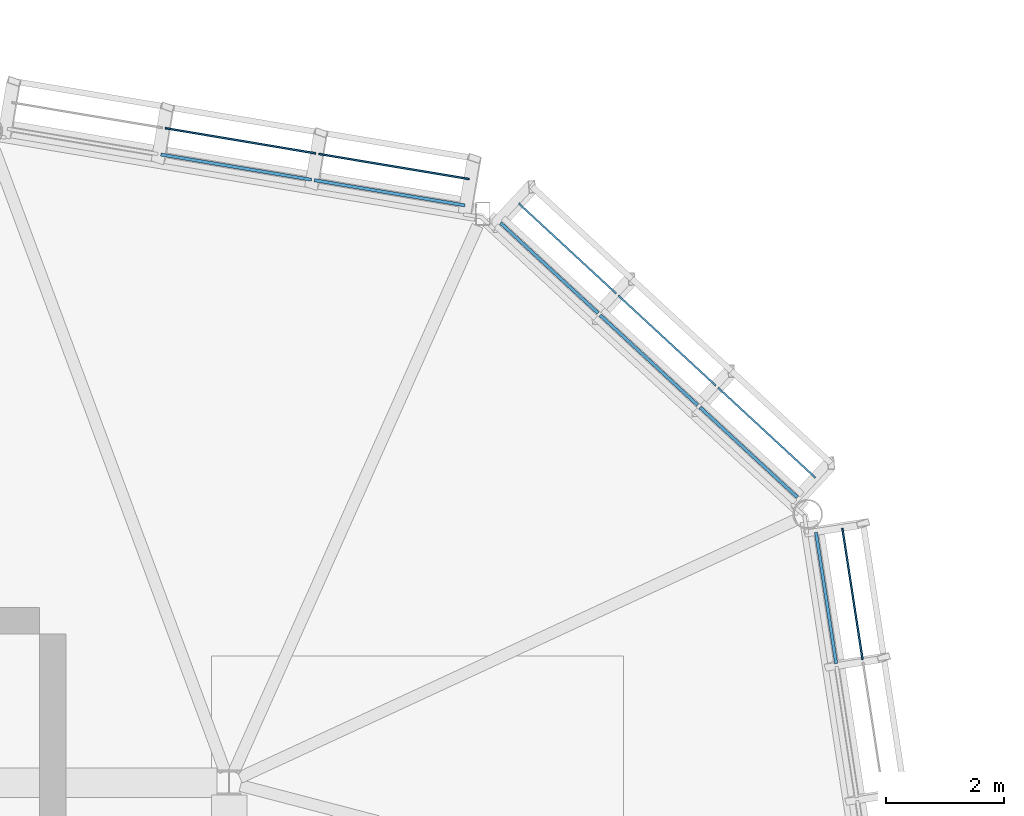
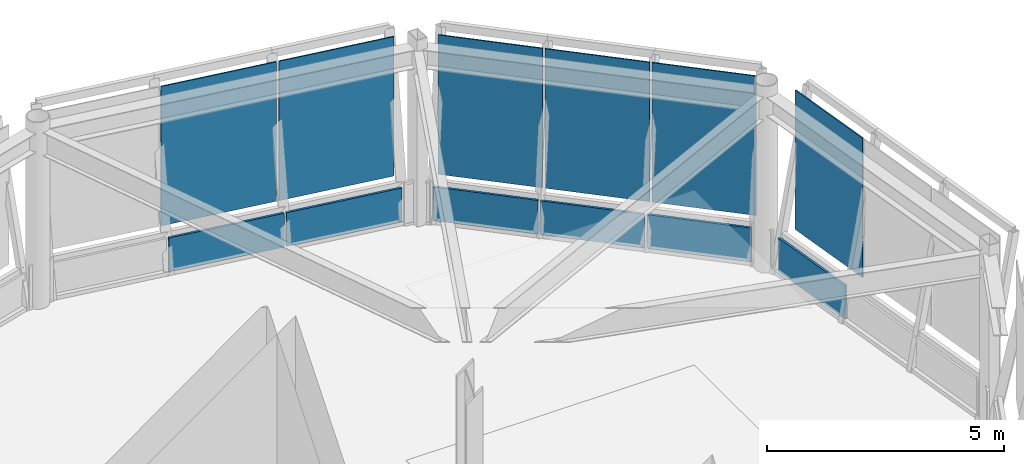
# One storey, part 65 of 94: 12 plates, 3 elements without a shape of their own.
"""IFC4 building model written with IfcOpenShell, lengths in metres."""

from ifc_helpers import new_model, si_unit, direction, frame, origin, origin_2d, place, context, subcontext, project, spatial, rectangle, extrude, material, layer, layer_set, type_object, element, aggregate, save


model = new_model("IFC4")

# Units and contexts
model_context = context("Model", 3, precision=1e-05, world=origin(), true_north=direction((0.0, 1.0)))
body_context = subcontext(model_context, "Body", "Model", "MODEL_VIEW")
ifc_project = project(units=[si_unit("LENGTHUNIT", "METRE"), si_unit("AREAUNIT", "SQUARE_METRE"), si_unit("VOLUMEUNIT", "CUBIC_METRE"), si_unit("PLANEANGLEUNIT", "RADIAN"), si_unit("MASSUNIT", "GRAM", prefix="KILO")], contexts=[model_context])

# Site, building, storey
site_placement = place(None, origin())
site = spatial("IfcSite", under=ifc_project, at=site_placement, CompositionType="ELEMENT")
building_placement = place(site_placement, origin())
building = spatial("IfcBuilding", under=site, at=building_placement, Name="Linyun Crest Stadium", CompositionType="ELEMENT")
storey_placement = place(building_placement, frame((0.0, 0.0, 16.199951171875)))
storey = spatial("IfcBuildingStorey", under=building, at=storey_placement, Name="L04", CompositionType="ELEMENT", Elevation=16.199951171875)

# Curtain wall, plates
ifc_material_1 = material(Name="Verdigris steel and low-E curtain wall assembly", Category="steel")
curtain_wall_type = type_object("IfcCurtainWallType", Name="MCW04", PredefinedType="NOTDEFINED", material=ifc_material_1)
curtain_wall_1_placement = place(storey_placement, origin())
curtain_wall_1 = element("IfcCurtainWall", 1, at=curtain_wall_1_placement, inside=storey, type_object=curtain_wall_type, Name="CWR-037", PredefinedType="NOTDEFINED")
ifc_material_2 = material(Name="Acoustic laminated low-E broadcast glass", Category="glass")
ifc_layer_1 = layer(ifc_material_2, 0.030029296875)
ifc_layer_set_1 = layer_set([ifc_layer_1], Name="Acoustic laminated low-E broadcast glass")
plate_type_1 = type_object("IfcPlateType", Name="GP02", PredefinedType="CURTAIN_PANEL", material=ifc_layer_set_1)
plate_1_placement = place(storey_placement, frame((89.137939453125, 94.697021484375, 0.888427734375), z_axis=(0.0, 0.0, 1.0), x_axis=(-0.734298814372, 0.678826377811, 0.0)))
plate_1 = element("IfcPlate", 2, at=plate_1_placement, type_object=plate_type_1, Name="CWR-037 panel 1.2", PredefinedType="CURTAIN_PANEL", context=body_context, shape_type="SweptSolid", body=[
    extrude(rectangle(XDim=2.2568359375, YDim=0.030029296875, at=origin_2d()), origin(), (0.0, 0.0, 1.0), 3.5830078125),
])
plate_2_placement = place(storey_placement, frame((87.444091796875, 96.262939453125, 0.888427734375), z_axis=(0.0, 0.0, 1.0), x_axis=(-0.734298814372, 0.678826377811, 0.0)))
plate_2 = element("IfcPlate", 3, at=plate_2_placement, type_object=plate_type_1, Name="CWR-037 panel 2.2", PredefinedType="CURTAIN_PANEL", context=body_context, shape_type="SweptSolid", body=[
    extrude(rectangle(XDim=2.2568359375, YDim=0.030029296875, at=origin_2d()), origin(), (0.0, 0.0, 1.0), 3.5830078125),
])
plate_3_placement = place(storey_placement, frame((85.75, 97.8291015625, 0.888427734375), z_axis=(0.0, 0.0, 1.0), x_axis=(-0.734298814372, 0.678826377811, 0.0)))
plate_3 = element("IfcPlate", 4, at=plate_3_placement, type_object=plate_type_1, Name="CWR-037 panel 3.2", PredefinedType="CURTAIN_PANEL", context=body_context, shape_type="SweptSolid", body=[
    extrude(rectangle(XDim=2.2568359375, YDim=0.030029296875, at=origin_2d()), origin(), (0.0, 0.0, 1.0), 3.5830078125),
])

curtain_wall_2_placement = place(storey_placement, origin())
curtain_wall_2 = element("IfcCurtainWall", 5, at=curtain_wall_2_placement, inside=storey, type_object=curtain_wall_type, Name="CWR-038", PredefinedType="NOTDEFINED")
plate_4_placement = place(storey_placement, frame((82.802978515625, 99.221923828125, 0.888427734375), z_axis=(0.0, 0.0, 1.0), x_axis=(-0.986282720763, 0.165064819767, 0.0)))
plate_4 = element("IfcPlate", 6, at=plate_4_placement, type_object=plate_type_1, Name="CWR-038 panel 1.2", PredefinedType="CURTAIN_PANEL", context=body_context, shape_type="SweptSolid", body=[
    extrude(rectangle(XDim=2.59521484375, YDim=0.030029296875, at=origin_2d()), origin(), (0.0, 0.0, 1.0), 3.5830078125),
])
plate_5_placement = place(storey_placement, frame((80.194091796875, 99.658935546875, 0.888427734375), z_axis=(0.0, 0.0, 1.0), x_axis=(-0.986282720763, 0.165064819767, 0.0)))
plate_5 = element("IfcPlate", 7, at=plate_5_placement, type_object=plate_type_1, Name="CWR-038 panel 2.2", PredefinedType="CURTAIN_PANEL", context=body_context, shape_type="SweptSolid", body=[
    extrude(rectangle(XDim=2.59521484375, YDim=0.030029296875, at=origin_2d()), origin(), (0.0, 0.0, 1.0), 3.5830078125),
])

# Curtain wall, plate
curtain_wall_3_placement = place(storey_placement, origin())
curtain_wall_3 = element("IfcCurtainWall", 8, at=curtain_wall_3_placement, inside=storey, type_object=curtain_wall_type, Name="CWR-048", PredefinedType="NOTDEFINED")
plate_6_placement = place(storey_placement, frame((90.594970703125, 91.9560546875, 0.888427734375), z_axis=(0.0, 0.0, 1.0), x_axis=(-0.152054385169, 0.988372128275, 0.0)))
plate_6 = element("IfcPlate", 9, at=plate_6_placement, type_object=plate_type_1, Name="CWR-048 panel 3.2", PredefinedType="CURTAIN_PANEL", context=body_context, shape_type="SweptSolid", body=[
    extrude(rectangle(XDim=2.256103515625, YDim=0.030029296875, at=origin_2d()), origin(), (0.0, 0.0, 1.0), 3.5830078125),
])

# Plate
ifc_material_3 = material(Name="Verdigris enamelled metal insulated spandrel")
ifc_layer_2 = layer(ifc_material_3, 0.053955078125)
ifc_layer_set_2 = layer_set([ifc_layer_2], Name="Verdigris enamelled metal insulated spandrel")
plate_type_2 = type_object("IfcPlateType", Name="SP03", PredefinedType="SHEET", material=ifc_layer_set_2)
plate_7_placement = place(storey_placement, frame((88.830078125, 94.364013671875, 0.015625), z_axis=(0.0, 0.0, 1.0), x_axis=(-0.734298814372, 0.678826377811, 0.0)))
plate_7 = element("IfcPlate", 10, at=plate_7_placement, type_object=plate_type_2, Name="CWR-037 panel 1.1", PredefinedType="SHEET", context=body_context, shape_type="SweptSolid", body=[
    extrude(rectangle(XDim=2.2568359375, YDim=0.053955078125, at=origin_2d()), origin(), (0.0, 0.0, 1.0), 0.868408203125),
])

plate_8_placement = place(storey_placement, frame((87.135986328125, 95.929931640625, 0.015625), z_axis=(0.0, 0.0, 1.0), x_axis=(-0.734298814372, 0.678826377811, 0.0)))
plate_8 = element("IfcPlate", 11, at=plate_8_placement, type_object=plate_type_2, Name="CWR-037 panel 2.1", PredefinedType="SHEET", context=body_context, shape_type="SweptSolid", body=[
    extrude(rectangle(XDim=2.2568359375, YDim=0.053955078125, at=origin_2d()), origin(), (0.0, 0.0, 1.0), 0.868408203125),
])

plate_9_placement = place(storey_placement, frame((85.44189453125, 97.49609375, 0.015625), z_axis=(0.0, 0.0, 1.0), x_axis=(-0.734298814372, 0.678826377811, 0.0)))
plate_9 = element("IfcPlate", 12, at=plate_9_placement, type_object=plate_type_2, Name="CWR-037 panel 3.1", PredefinedType="SHEET", context=body_context, shape_type="SweptSolid", body=[
    extrude(rectangle(XDim=2.2568359375, YDim=0.053955078125, at=origin_2d()), origin(), (0.0, 0.0, 1.0), 0.868408203125),
])

aggregate(curtain_wall_1, [plate_7, plate_1, plate_8, plate_2, plate_9, plate_3])

plate_10_placement = place(storey_placement, frame((82.72802734375, 98.77490234375, 0.015625), z_axis=(0.0, 0.0, 1.0), x_axis=(-0.986282720763, 0.165064819767, 0.0)))
plate_10 = element("IfcPlate", 13, at=plate_10_placement, type_object=plate_type_2, Name="CWR-038 panel 1.1", PredefinedType="SHEET", context=body_context, shape_type="SweptSolid", body=[
    extrude(rectangle(XDim=2.59521484375, YDim=0.053955078125, at=origin_2d()), origin(), (0.0, 0.0, 1.0), 0.868408203125),
])

plate_11_placement = place(storey_placement, frame((80.118896484375, 99.2109375, 0.015625), z_axis=(0.0, 0.0, 1.0), x_axis=(-0.986282720763, 0.165064819767, 0.0)))
plate_11 = element("IfcPlate", 14, at=plate_11_placement, type_object=plate_type_2, Name="CWR-038 panel 2.1", PredefinedType="SHEET", context=body_context, shape_type="SweptSolid", body=[
    extrude(rectangle(XDim=2.59521484375, YDim=0.053955078125, at=origin_2d()), origin(), (0.0, 0.0, 1.0), 0.868408203125),
])

aggregate(curtain_wall_2, [plate_10, plate_4, plate_11, plate_5])

plate_12_placement = place(storey_placement, frame((90.14697265625, 91.886962890625, 0.015625), z_axis=(0.0, 0.0, 1.0), x_axis=(-0.152054385169, 0.988372128275, 0.0)))
plate_12 = element("IfcPlate", 15, at=plate_12_placement, type_object=plate_type_2, Name="CWR-048 panel 3.1", PredefinedType="SHEET", context=body_context, shape_type="SweptSolid", body=[
    extrude(rectangle(XDim=2.256103515625, YDim=0.053955078125, at=origin_2d()), origin(), (0.0, 0.0, 1.0), 0.868408203125),
])

aggregate(curtain_wall_3, [plate_12, plate_6])

save(model, "model.ifc")
